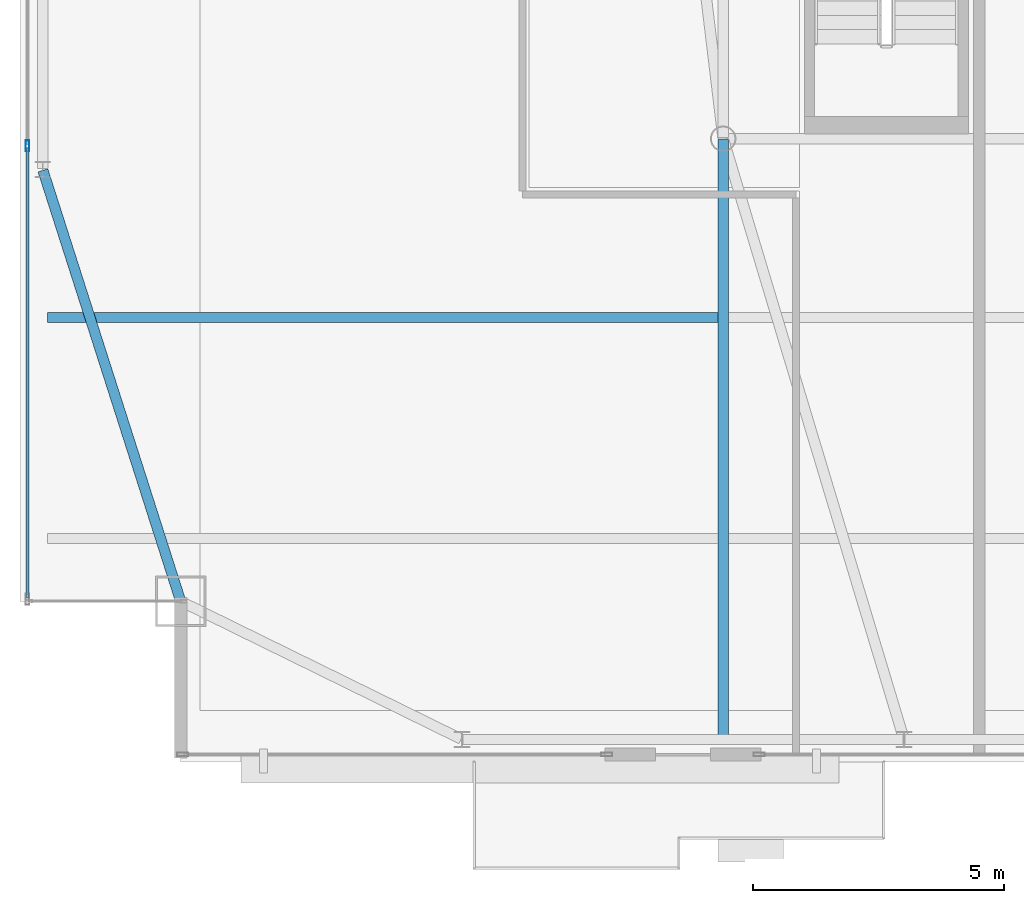
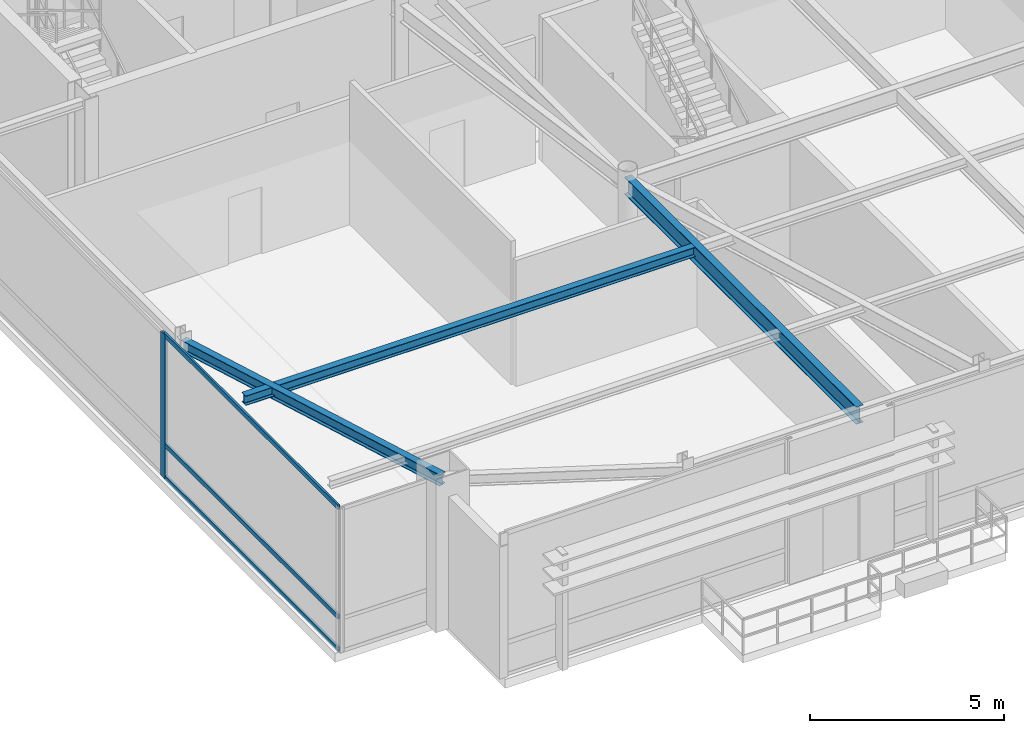
# One storey, part 5 of 22: 4 members, 3 beams, 1 element without a shape of its own.
"""IFC4 building model written with IfcOpenShell, lengths in metres."""

from ifc_helpers import new_model, si_unit, direction, frame, origin, origin_2d, place, context, subcontext, project, spatial, hollow_rectangle, i_section, extrude, source, transform, mapped, material, layer, layer_set, material_profile, profile_set, type_object, type_shapes, element, aggregate, save


model = new_model("IFC4")

# Units and contexts
model_context = context("Model", 3, precision=1e-05, world=origin(), true_north=direction((0.0, 1.0)))
body_context = subcontext(model_context, "Body", "Model", "MODEL_VIEW")
ifc_project = project(units=[si_unit("LENGTHUNIT", "METRE"), si_unit("AREAUNIT", "SQUARE_METRE"), si_unit("VOLUMEUNIT", "CUBIC_METRE"), si_unit("PLANEANGLEUNIT", "RADIAN"), si_unit("MASSUNIT", "GRAM", prefix="KILO")], contexts=[model_context])

# Site, building, storey
site_placement = place(None, origin())
site = spatial("IfcSite", under=ifc_project, at=site_placement, CompositionType="ELEMENT")
building_placement = place(site_placement, origin())
building = spatial("IfcBuilding", under=site, at=building_placement, Name="Varnel Quay Broadcast Tower", CompositionType="ELEMENT")
storey_placement = place(building_placement, frame((0.0, 0.0, 305.0)))
storey = spatial("IfcBuildingStorey", under=building, at=storey_placement, Name="L76", CompositionType="ELEMENT", Elevation=305.0)

# Beams
ifc_material_1 = material(Name="Structural Steel CSA G40.21 350W", Category="steel")
ifc_material_profile_1 = material_profile(ifc_material_1, i_section(OverallWidth=0.205078125, OverallDepth=0.35400390625, WebThickness=0.009521484375, FlangeThickness=0.016845703125, FilletRadius=0.012939453125, at=origin_2d()), Name="W360X79")
ifc_profile_set_1 = profile_set([ifc_material_profile_1], Name="Structural Steel CSA G40.21 350W")
beam_type_1 = type_object("IfcBeamType", Name="Beam_W360X79", PredefinedType="SPANDREL", material=ifc_profile_set_1)
shared_shape_1 = source(origin(), body_context, "Body", "SweptSolid", [
    extrude(i_section(OverallWidth=0.205078125, OverallDepth=0.35400390625, WebThickness=0.009521484375, FlangeThickness=0.016845703125, FilletRadius=0.012939453125, at=origin_2d()), origin(), (0.0, 0.0, 1.0), 8.989013671875),
])
type_shapes(beam_type_1, [shared_shape_1])
beam_1_placement = place(storey_placement, frame((15.19384765625, 16.4189453125, 4.343017578125), z_axis=(-0.304568770162, 0.952490348635, 0.0), x_axis=(-0.952490348635, -0.304568770162, 0.0)))
element("IfcBeam", 1, at=beam_1_placement, inside=storey, type_object=beam_type_1, Name="L76 West Spandrel MC-SW-TC-W1", PredefinedType="SPANDREL", context=body_context, shape_type="MappedRepresentation", body=[
    mapped(shared_shape_1, transform((0.0, 0.0, 0.0), x_axis=(1.0, 0.0, 0.0), y_axis=(0.0, 1.0, 0.0), z_axis=(0.0, 0.0, 1.0), scale=1.0)),
])
ifc_material_profile_2 = material_profile(ifc_material_1, i_section(OverallWidth=0.2119140625, OverallDepth=0.5439453125, WebThickness=0.01318359375, FlangeThickness=0.021240234375, FilletRadius=0.013916015625, at=origin_2d()), Name="W530X123")
ifc_profile_set_2 = profile_set([ifc_material_profile_2], Name="Structural Steel CSA G40.21 350W")
beam_type_2 = type_object("IfcBeamType", Name="Girder_W530X123", PredefinedType="BEAM", material=ifc_profile_set_2)
shared_shape_2 = source(origin(), body_context, "Body", "SweptSolid", [
    extrude(i_section(OverallWidth=0.2119140625, OverallDepth=0.5439453125, WebThickness=0.01318359375, FlangeThickness=0.021240234375, FilletRadius=0.013916015625, at=origin_2d()), origin(), (0.0, 0.0, 1.0), 11.920166015625),
])
type_shapes(beam_type_2, [shared_shape_2])
beam_2_placement = place(storey_placement, frame((26.0, 13.669921875, 4.248046875), z_axis=(0.0, 1.0, 0.0), x_axis=(-1.0, 0.0, 0.0)))
element("IfcBeam", 2, at=beam_2_placement, inside=storey, type_object=beam_type_2, Name="L76 N-S Joist Header IC-01S", PredefinedType="BEAM", context=body_context, shape_type="MappedRepresentation", body=[
    mapped(shared_shape_2, transform((0.0, 0.0, 0.0), x_axis=(1.0, 0.0, 0.0), y_axis=(0.0, 1.0, 0.0), z_axis=(0.0, 0.0, 1.0), scale=1.0)),
])
ifc_material_profile_3 = material_profile(ifc_material_1, i_section(OverallWidth=0.202880859375, OverallDepth=0.302978515625, WebThickness=0.007568359375, FlangeThickness=0.01318359375, FilletRadius=0.011962890625, at=origin_2d()), Name="W310X60")
ifc_profile_set_3 = profile_set([ifc_material_profile_3], Name="Structural Steel CSA G40.21 350W")
beam_type_3 = type_object("IfcBeamType", Name="Beam_W310X60", PredefinedType="JOIST", material=ifc_profile_set_3)
shared_shape_3 = source(origin(), body_context, "Body", "SweptSolid", [
    extrude(i_section(OverallWidth=0.202880859375, OverallDepth=0.302978515625, WebThickness=0.007568359375, FlangeThickness=0.01318359375, FilletRadius=0.011962890625, at=origin_2d()), origin(), (0.0, 0.0, 1.0), 13.351318359375),
])
type_shapes(beam_type_3, [shared_shape_3])
beam_3_placement = place(storey_placement, frame((12.547607421875, 22.050048828125, 4.368408203125), z_axis=(1.0, 0.0, 0.0), x_axis=(0.0, 1.0, 0.0)))
element("IfcBeam", 3, at=beam_3_placement, inside=storey, type_object=beam_type_3, Name="L76 West Floor Joist 2", PredefinedType="JOIST", context=body_context, shape_type="MappedRepresentation", body=[
    mapped(shared_shape_3, transform((0.0, 0.0, 0.0), x_axis=(1.0, 0.0, 0.0), y_axis=(0.0, 1.0, 0.0), z_axis=(0.0, 0.0, 1.0), scale=1.0)),
])

# Curtain wall, members
ifc_material_2 = material(Name="Anodised Bronze Aluminium 6063-T6", Category="aluminium")
ifc_layer = layer(ifc_material_2, 0.18994140625, Name="Anodised Bronze Aluminium 6063-T6")
ifc_layer_set = layer_set([ifc_layer], Name="Anodised Bronze Aluminium 6063-T6")
curtain_wall_type = type_object("IfcCurtainWallType", Name="CW_SkyObsHighVis", PredefinedType="NOTDEFINED", material=ifc_layer_set)
curtain_wall_placement = place(storey_placement, origin())
curtain_wall = element("IfcCurtainWall", 4, at=curtain_wall_placement, inside=storey, type_object=curtain_wall_type, Name="L76 West Unitised Curtain Wall", PredefinedType="NOTDEFINED")
ifc_material_profile_4 = material_profile(ifc_material_2, hollow_rectangle(XDim=0.074951171875, YDim=0.219970703125, WallThickness=0.00390625, at=origin_2d()), Name="ALU75X220X4")
ifc_profile_set_4 = profile_set([ifc_material_profile_4], Name="Anodised Bronze Aluminium 6063-T6")
member_type_1 = type_object("IfcMemberType", Name="Mull_CWS-05", PredefinedType="MULLION", material=ifc_profile_set_4)
shared_shape_4 = source(origin(), body_context, "Body", "SweptSolid", [
    extrude(hollow_rectangle(XDim=0.074951171875, YDim=0.219970703125, WallThickness=0.00390625, at=origin_2d()), origin(), (0.0, 0.0, 1.0), 4.52001953125),
])
type_shapes(member_type_1, [shared_shape_4])
member_1_placement = place(storey_placement, frame((12.14990234375, 25.466552734375, 0.0), z_axis=(0.0, 0.0, 1.0), x_axis=(-1.0, 0.0, 0.0)))
member_1 = element("IfcMember", 5, at=member_1_placement, type_object=member_type_1, Name="CWS-05 mullion 2", PredefinedType="MULLION", context=body_context, shape_type="MappedRepresentation", body=[
    mapped(shared_shape_4, transform((0.0, 0.0, 0.0), x_axis=(1.0, 0.0, 0.0), y_axis=(0.0, 1.0, 0.0), z_axis=(0.0, 0.0, 1.0), scale=1.0)),
])
ifc_material_profile_5 = material_profile(ifc_material_2, hollow_rectangle(XDim=0.06005859375, YDim=0.14501953125, WallThickness=0.00341796875, at=origin_2d()), Name="ALU60X145X3.5")
ifc_profile_set_5 = profile_set([ifc_material_profile_5], Name="Anodised Bronze Aluminium 6063-T6")
member_type_2 = type_object("IfcMemberType", Name="Tran_CWS-05", PredefinedType="USERDEFINED", material=ifc_profile_set_5)
shared_shape_5 = source(origin(), body_context, "Body", "SweptSolid", [
    extrude(hollow_rectangle(XDim=0.06005859375, YDim=0.14501953125, WallThickness=0.00341796875, at=origin_2d()), origin(), (0.0, 0.0, 1.0), 8.9541015625),
])
type_shapes(member_type_2, [shared_shape_5])
member_2_placement = place(storey_placement, frame((12.14990234375, 16.47509765625, 0.030029296875), z_axis=(0.0, 1.0, 0.0), x_axis=(-1.0, 0.0, 0.0)))
member_2 = element("IfcMember", 6, at=member_2_placement, type_object=member_type_2, Name="CWS-05 transom 1.1", ObjectType="TRANSOM", PredefinedType="USERDEFINED", context=body_context, shape_type="MappedRepresentation", body=[
    mapped(shared_shape_5, transform((0.0, 0.0, 0.0), x_axis=(1.0, 0.0, 0.0), y_axis=(0.0, 1.0, 0.0), z_axis=(0.0, 0.0, 1.0), scale=1.0)),
])
member_3_placement = place(storey_placement, frame((12.14990234375, 16.47509765625, 1.050048828125), z_axis=(0.0, 1.0, 0.0), x_axis=(-1.0, 0.0, 0.0)))
member_3 = element("IfcMember", 7, at=member_3_placement, type_object=member_type_2, Name="CWS-05 transom 1.2", ObjectType="TRANSOM", PredefinedType="USERDEFINED", context=body_context, shape_type="MappedRepresentation", body=[
    mapped(shared_shape_5, transform((0.0, 0.0, 0.0), x_axis=(1.0, 0.0, 0.0), y_axis=(0.0, 1.0, 0.0), z_axis=(0.0, 0.0, 1.0), scale=1.0)),
])
member_4_placement = place(storey_placement, frame((12.14990234375, 16.47509765625, 4.489990234375), z_axis=(0.0, 1.0, 0.0), x_axis=(-1.0, 0.0, 0.0)))
member_4 = element("IfcMember", 8, at=member_4_placement, type_object=member_type_2, Name="CWS-05 transom 1.3", ObjectType="TRANSOM", PredefinedType="USERDEFINED", context=body_context, shape_type="MappedRepresentation", body=[
    mapped(shared_shape_5, transform((0.0, 0.0, 0.0), x_axis=(1.0, 0.0, 0.0), y_axis=(0.0, 1.0, 0.0), z_axis=(0.0, 0.0, 1.0), scale=1.0)),
])
aggregate(curtain_wall, [member_1, member_2, member_3, member_4])

save(model, "model.ifc")
